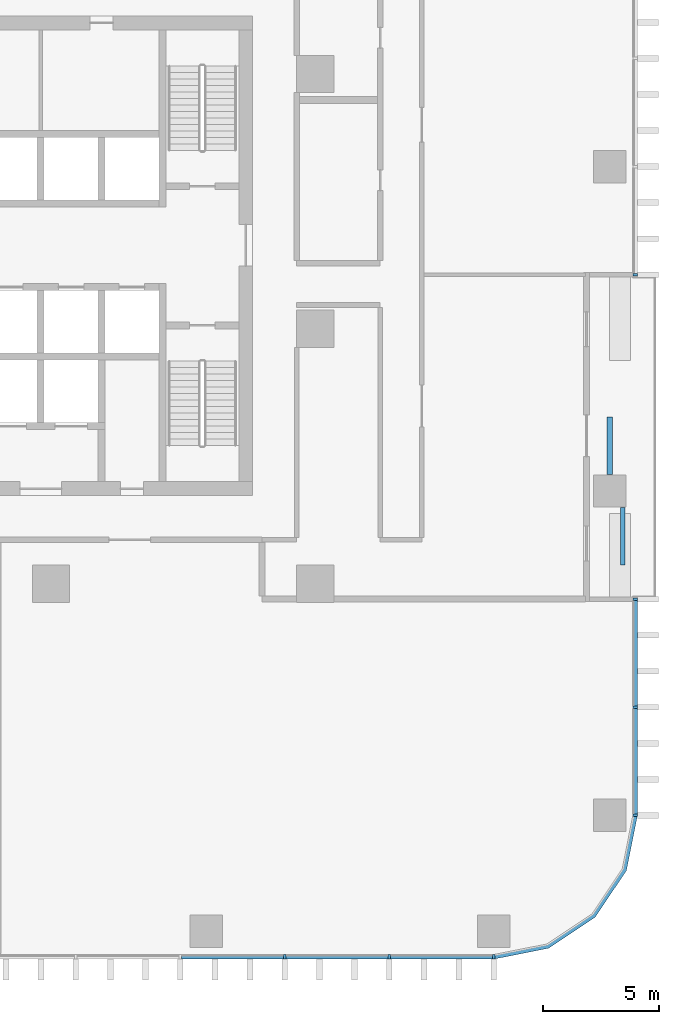
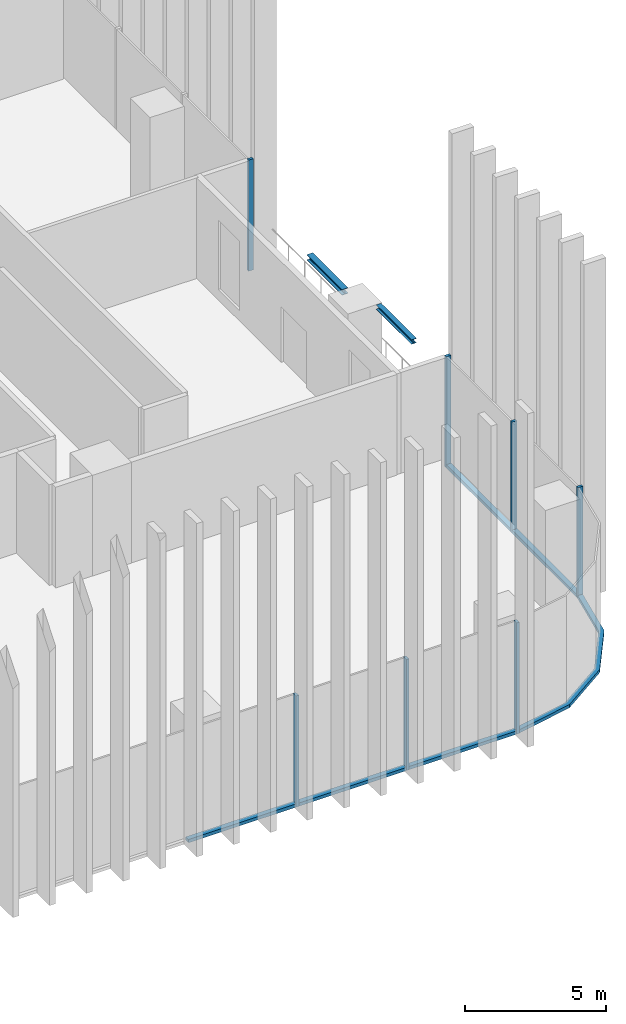
# One storey, part 3 of 17: 13 members, 2 beams, 4 elements without a shape of their own.
"""IFC4 building model written with IfcOpenShell, lengths in metres."""

from ifc_helpers import new_model, si_unit, direction, frame, origin, origin_2d, place, context, subcontext, project, spatial, polyline, rectangle, i_section, outline, extrude, material, material_profile, profile_set, type_object, element, aggregate, save


model = new_model("IFC4")

# Units and contexts
model_context = context("Model", 3, precision=1e-05, world=origin(), true_north=direction((0.0, 1.0)))
body_context = subcontext(model_context, "Body", "Model", "MODEL_VIEW")
ifc_project = project(units=[si_unit("LENGTHUNIT", "METRE"), si_unit("AREAUNIT", "SQUARE_METRE"), si_unit("VOLUMEUNIT", "CUBIC_METRE"), si_unit("PLANEANGLEUNIT", "RADIAN"), si_unit("MASSUNIT", "GRAM", prefix="KILO")], contexts=[model_context])

# Site, building, storey
site_placement = place(None, origin())
site = spatial("IfcSite", under=ifc_project, at=site_placement, CompositionType="ELEMENT")
building_placement = place(site_placement, origin())
building = spatial("IfcBuilding", under=site, at=building_placement, Name="Mopane Tessera Tower", CompositionType="ELEMENT")
storey_placement = place(building_placement, frame((0.0, 0.0, 31.0)))
storey = spatial("IfcBuildingStorey", under=building, at=storey_placement, Name="L05", CompositionType="ELEMENT", Elevation=31.0)

# Curtain wall, members
ifc_material_1 = material(Name="Aluminium frame", Category="aluminium")
curtain_wall_type = type_object("IfcCurtainWallType", Name="Lower tower unitised wall", PredefinedType="NOTDEFINED", material=ifc_material_1)
curtain_wall_1_placement = place(storey_placement, origin())
curtain_wall_1 = element("IfcCurtainWall", 1, at=curtain_wall_1_placement, inside=storey, type_object=curtain_wall_type, Name="e:cw:L05:S:0", PredefinedType="NOTDEFINED")
ifc_material_2 = material(Name="Aluminium frame", Category="aluminium")
ifc_material_profile_1 = material_profile(ifc_material_2, rectangle(XDim=0.110107421875, YDim=0.199951171875, at=origin_2d()))
ifc_profile_set_1 = profile_set([ifc_material_profile_1], Name="Aluminium frame")
member_type_1 = type_object("IfcMemberType", Name="Aluminium mullion 110 x 200", PredefinedType="MULLION", material=ifc_profile_set_1)
member_1_placement = place(storey_placement, frame((15.78173828125, -27.10009765625, -0.449951171875), z_axis=(0.0, 0.0, 1.0), x_axis=(1.0, 0.0, 0.0)))
member_1 = element("IfcMember", 2, at=member_1_placement, type_object=member_type_1, Name="e:cw:L05:S:0:mu9", PredefinedType="MULLION", context=body_context, shape_type="SweptSolid", body=[
    extrude(rectangle(XDim=0.110107421875, YDim=0.199951171875, at=origin_2d()), origin(), (0.0, 0.0, 1.0), 4.800048828125),
])
member_2_placement = place(storey_placement, frame((20.291015625, -27.10009765625, -0.449951171875), z_axis=(0.0, 0.0, 1.0), x_axis=(1.0, 0.0, 0.0)))
member_2 = element("IfcMember", 3, at=member_2_placement, type_object=member_type_1, Name="e:cw:L05:S:0:mu10", PredefinedType="MULLION", context=body_context, shape_type="SweptSolid", body=[
    extrude(rectangle(XDim=0.110107421875, YDim=0.199951171875, at=origin_2d()), origin(), (0.0, 0.0, 1.0), 4.800048828125),
])
member_3_placement = place(storey_placement, frame((24.800048828125, -27.10009765625, -0.449951171875), z_axis=(0.0, 0.0, 1.0), x_axis=(1.0, 0.0, 0.0)))
member_3 = element("IfcMember", 4, at=member_3_placement, type_object=member_type_1, Name="e:cw:L05:S:0:mu11", PredefinedType="MULLION", context=body_context, shape_type="SweptSolid", body=[
    extrude(rectangle(XDim=0.110107421875, YDim=0.199951171875, at=origin_2d()), origin(), (0.0, 0.0, 1.0), 4.800048828125),
])

curtain_wall_2_placement = place(storey_placement, origin())
curtain_wall_2 = element("IfcCurtainWall", 5, at=curtain_wall_2_placement, inside=storey, type_object=curtain_wall_type, Name="e:cw:L05:E:0", PredefinedType="NOTDEFINED")
member_4_placement = place(storey_placement, frame((30.89990234375, -21.0, -0.449951171875), z_axis=(0.0, 0.0, 1.0), x_axis=(0.0, 1.0, 0.0)))
member_4 = element("IfcMember", 6, at=member_4_placement, type_object=member_type_1, Name="e:cw:L05:E:0:mu0", PredefinedType="MULLION", context=body_context, shape_type="SweptSolid", body=[
    extrude(rectangle(XDim=0.110107421875, YDim=0.199951171875, at=origin_2d()), origin(), (0.0, 0.0, 1.0), 4.800048828125),
])
member_5_placement = place(storey_placement, frame((30.89990234375, -16.333251953125, -0.449951171875), z_axis=(0.0, 0.0, 1.0), x_axis=(0.0, 1.0, 0.0)))
member_5 = element("IfcMember", 7, at=member_5_placement, type_object=member_type_1, Name="e:cw:L05:E:0:mu1", PredefinedType="MULLION", context=body_context, shape_type="SweptSolid", body=[
    extrude(rectangle(XDim=0.110107421875, YDim=0.199951171875, at=origin_2d()), origin(), (0.0, 0.0, 1.0), 4.800048828125),
])
member_6_placement = place(storey_placement, frame((30.89990234375, -11.666748046875, -0.449951171875), z_axis=(0.0, 0.0, 1.0), x_axis=(0.0, 1.0, 0.0)))
member_6 = element("IfcMember", 8, at=member_6_placement, type_object=member_type_1, Name="e:cw:L05:E:0:mu2", PredefinedType="MULLION", context=body_context, shape_type="SweptSolid", body=[
    extrude(rectangle(XDim=0.110107421875, YDim=0.199951171875, at=origin_2d()), origin(), (0.0, 0.0, 1.0), 4.800048828125),
])

# Curtain wall, member
curtain_wall_3_placement = place(storey_placement, origin())
curtain_wall_3 = element("IfcCurtainWall", 9, at=curtain_wall_3_placement, inside=storey, type_object=curtain_wall_type, Name="e:cw:L05:E:5", PredefinedType="NOTDEFINED")
member_7_placement = place(storey_placement, frame((30.89990234375, 2.333251953125, -0.449951171875), z_axis=(0.0, 0.0, 1.0), x_axis=(0.0, 1.0, 0.0)))
member_7 = element("IfcMember", 10, at=member_7_placement, type_object=member_type_1, Name="e:cw:L05:E:5:mu5", PredefinedType="MULLION", context=body_context, shape_type="SweptSolid", body=[
    extrude(rectangle(XDim=0.110107421875, YDim=0.199951171875, at=origin_2d()), origin(), (0.0, 0.0, 1.0), 4.800048828125),
])
aggregate(curtain_wall_3, [member_7])

# Member
ifc_material_3 = material(Name="Aluminium frame", Category="aluminium")
ifc_material_profile_2 = material_profile(ifc_material_3, rectangle(XDim=0.199951171875, YDim=0.139892578125, at=origin_2d()))
ifc_profile_set_2 = profile_set([ifc_material_profile_2], Name="Aluminium frame")
member_type_2 = type_object("IfcMemberType", Name="Aluminium transom 200 x 140", PredefinedType="USERDEFINED", material=ifc_profile_set_2)
member_8_placement = place(storey_placement, frame((11.32763671875, -27.10009765625, -0.3798828125), z_axis=(1.0, 0.0, 0.0), x_axis=(0.0, 1.0, 0.0)))
member_8 = element("IfcMember", 11, at=member_8_placement, type_object=member_type_2, Name="e:cw:L05:S:0:tr8", ObjectType="TRANSOM", PredefinedType="USERDEFINED", context=body_context, shape_type="SweptSolid", body=[
    extrude(rectangle(XDim=0.199951171875, YDim=0.139892578125, at=origin_2d()), origin(), (0.0, 0.0, 1.0), 4.399169921875),
])

member_9_placement = place(storey_placement, frame((15.8369140625, -27.10009765625, -0.3798828125), z_axis=(1.0, 0.0, 0.0), x_axis=(0.0, 1.0, 0.0)))
member_9 = element("IfcMember", 12, at=member_9_placement, type_object=member_type_2, Name="e:cw:L05:S:0:tr9", ObjectType="TRANSOM", PredefinedType="USERDEFINED", context=body_context, shape_type="SweptSolid", body=[
    extrude(rectangle(XDim=0.199951171875, YDim=0.139892578125, at=origin_2d()), origin(), (0.0, 0.0, 1.0), 4.39892578125),
])

member_10_placement = place(storey_placement, frame((20.345947265625, -27.10009765625, -0.3798828125), z_axis=(1.0, 0.0, 0.0), x_axis=(0.0, 1.0, 0.0)))
member_10 = element("IfcMember", 13, at=member_10_placement, type_object=member_type_2, Name="e:cw:L05:S:0:tr10", ObjectType="TRANSOM", PredefinedType="USERDEFINED", context=body_context, shape_type="SweptSolid", body=[
    extrude(rectangle(XDim=0.199951171875, YDim=0.139892578125, at=origin_2d()), origin(), (0.0, 0.0, 1.0), 4.399169921875),
])

aggregate(curtain_wall_1, [member_1, member_2, member_3, member_8, member_9, member_10])

# Curtain wall, member
curtain_wall_4_placement = place(storey_placement, origin())
curtain_wall_4 = element("IfcCurtainWall", 14, at=curtain_wall_4_placement, inside=storey, type_object=curtain_wall_type, Name="e:cw:L05:CS", PredefinedType="NOTDEFINED")
member_11_placement = place(storey_placement, frame((0.0, 0.0, -0.449951171875)))
member_11 = element("IfcMember", 15, at=member_11_placement, type_object=member_type_2, Name="e:cw:L05:CS:tr", ObjectType="TRANSOM", PredefinedType="USERDEFINED", context=body_context, shape_type="SweptSolid", body=[
    extrude(outline(polyline([(24.800048828125, -27.0), (27.09619140625, -26.543212890625), (29.042724609375, -25.24267578125), (30.34326171875, -23.296142578125), (30.800048828125, -21.0), (31.0, -21.0), (30.528076171875, -23.37255859375), (29.18408203125, -25.384033203125), (27.172607421875, -26.72802734375), (24.800048828125, -27.199951171875), (24.800048828125, -27.0)])), origin(), (0.0, 0.0, 1.0), 0.139892578125),
])
aggregate(curtain_wall_4, [member_11])

# Member
member_12_placement = place(storey_placement, frame((30.89990234375, -20.945068359375, -0.3798828125), z_axis=(0.0, 1.0, 0.0), x_axis=(-1.0, 0.0, 0.0)))
member_12 = element("IfcMember", 16, at=member_12_placement, type_object=member_type_2, Name="e:cw:L05:E:0:tr0", ObjectType="TRANSOM", PredefinedType="USERDEFINED", context=body_context, shape_type="SweptSolid", body=[
    extrude(rectangle(XDim=0.199951171875, YDim=0.139892578125, at=origin_2d()), origin(), (0.0, 0.0, 1.0), 4.556640625),
])

member_13_placement = place(storey_placement, frame((30.89990234375, -16.2783203125, -0.3798828125), z_axis=(0.0, 1.0, 0.0), x_axis=(-1.0, 0.0, 0.0)))
member_13 = element("IfcMember", 17, at=member_13_placement, type_object=member_type_2, Name="e:cw:L05:E:0:tr1", ObjectType="TRANSOM", PredefinedType="USERDEFINED", context=body_context, shape_type="SweptSolid", body=[
    extrude(rectangle(XDim=0.199951171875, YDim=0.139892578125, at=origin_2d()), origin(), (0.0, 0.0, 1.0), 4.556640625),
])

aggregate(curtain_wall_2, [member_4, member_5, member_6, member_12, member_13])

# Beams
ifc_material_4 = material(Name="Structural steel S460", Category="steel")
ifc_material_profile_3 = material_profile(ifc_material_4, i_section(OverallWidth=0.239990234375, OverallDepth=0.239990234375, WebThickness=0.010009765625, FlangeThickness=0.01708984375, FilletRadius=0.02099609375, at=origin_2d()))
ifc_profile_set_3 = profile_set([ifc_material_profile_3], Name="Structural steel S460")
beam_type_1 = type_object("IfcBeamType", Name="Terrace spandrel beam HE 240 B", PredefinedType="SPANDREL", material=ifc_profile_set_3)
beam_1_placement = place(storey_placement, frame((29.800048828125, -6.297119140625, 4.22998046875), z_axis=(0.0, 1.0, 0.0), x_axis=(-1.0, 0.0, 0.0)))
element("IfcBeam", 18, at=beam_1_placement, inside=storey, type_object=beam_type_1, Name="Terrace spandrel beam N1 L06", PredefinedType="SPANDREL", context=body_context, shape_type="SweptSolid", body=[
    extrude(i_section(OverallWidth=0.239990234375, OverallDepth=0.239990234375, WebThickness=0.010009765625, FlangeThickness=0.01708984375, FilletRadius=0.02099609375, at=origin_2d()), origin(), (0.0, 0.0, 1.0), 2.5),
])
ifc_material_5 = material(Name="Structural steel S460", Category="steel")
ifc_material_profile_4 = material_profile(ifc_material_5, i_section(OverallWidth=0.199951171875, OverallDepth=0.199951171875, WebThickness=0.009033203125, FlangeThickness=0.014892578125, FilletRadius=0.01806640625, at=origin_2d()))
ifc_profile_set_4 = profile_set([ifc_material_profile_4], Name="Structural steel S460")
beam_type_2 = type_object("IfcBeamType", Name="Terrace trimmer beam HE 200 B", PredefinedType="BEAM", material=ifc_profile_set_4)
beam_2_placement = place(storey_placement, frame((30.360107421875, -7.702880859375, 4.25), z_axis=(0.0, -1.0, 0.0), x_axis=(1.0, 0.0, 0.0)))
element("IfcBeam", 19, at=beam_2_placement, inside=storey, type_object=beam_type_2, Name="Terrace trimmer beam N1 L06", PredefinedType="BEAM", context=body_context, shape_type="SweptSolid", body=[
    extrude(i_section(OverallWidth=0.199951171875, OverallDepth=0.199951171875, WebThickness=0.009033203125, FlangeThickness=0.014892578125, FilletRadius=0.01806640625, at=origin_2d()), origin(), (0.0, 0.0, 1.0), 2.5),
])

save(model, "model.ifc")
